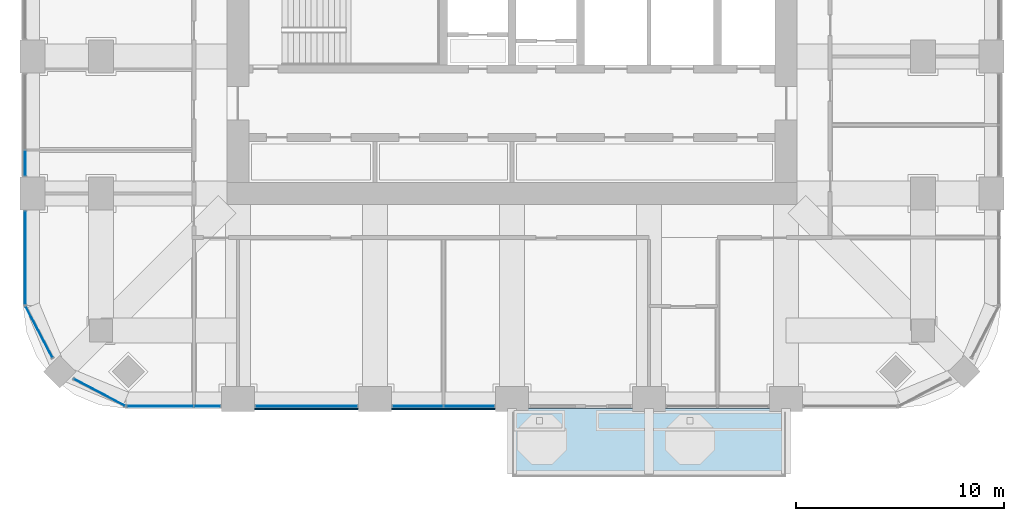
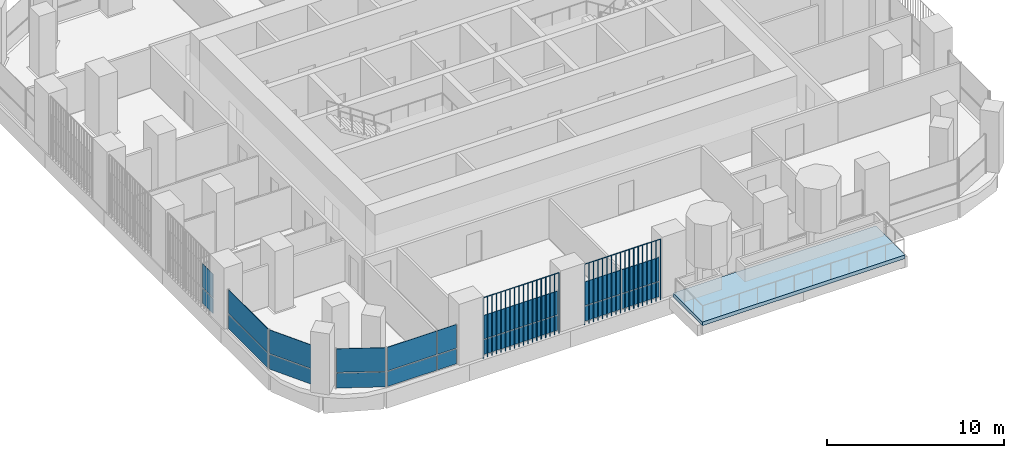
# One storey, part 8 of 20: 20 plates, 1 slab, 7 elements without a shape of their own.
"""IFC4 building model written with IfcOpenShell, lengths in metres."""

from ifc_helpers import new_model, si_unit, direction, frame, origin, origin_2d, place, context, subcontext, project, spatial, polyline, rectangle, outline, extrude, material, layer, layer_set, type_object, element, aggregate, save


model = new_model("IFC4")

# Units and contexts
model_context = context("Model", 3, precision=1e-05, world=origin(), true_north=direction((0.0, 1.0)))
body_context = subcontext(model_context, "Body", "Model", "MODEL_VIEW")
ifc_project = project(units=[si_unit("LENGTHUNIT", "METRE"), si_unit("AREAUNIT", "SQUARE_METRE"), si_unit("VOLUMEUNIT", "CUBIC_METRE"), si_unit("PLANEANGLEUNIT", "RADIAN"), si_unit("MASSUNIT", "GRAM", prefix="KILO")], contexts=[model_context])

# Site, building, storey
site_placement = place(None, origin())
site = spatial("IfcSite", under=ifc_project, at=site_placement, CompositionType="ELEMENT")
building_placement = place(site_placement, origin())
building = spatial("IfcBuilding", under=site, at=building_placement, Name="Cobogo Forest Laboratory Tower", CompositionType="ELEMENT")
storey_placement = place(building_placement, frame((0.0, 0.0, 180.89990234375)))
storey = spatial("IfcBuildingStorey", under=building, at=storey_placement, Name="L41", CompositionType="ELEMENT", Elevation=180.89990234375)

# Slab
ifc_material_1 = material(Name="Concrete HA-40 (C40/50)", Category="concrete")
ifc_layer_1 = layer(ifc_material_1, 0.25)
ifc_layer_set_1 = layer_set([ifc_layer_1], Name="Balcony slab 250")
slab_type = type_object("IfcSlabType", Name="Balcony slab 250", PredefinedType="FLOOR", material=ifc_layer_set_1)
slab_placement = place(storey_placement, frame((0.0, 0.0, -0.25)))
element("IfcSlab", 1, at=slab_placement, inside=storey, type_object=slab_type, Name="Balcony BAL-S1 L41", PredefinedType="FLOOR", context=body_context, shape_type="SweptSolid", body=[
    extrude(outline(polyline([(26.39990234375, -0.449951171875), (39.60009765625, -0.449951171875), (39.60009765625, 2.85009765625), (26.39990234375, 2.85009765625), (26.39990234375, -0.449951171875)])), origin(), (0.0, 0.0, 1.0), 0.25),
])

# Curtain wall, plates
ifc_material_2 = material(Name="Aluminium curtain wall", Category="aluminium")
curtain_wall_type = type_object("IfcCurtainWallType", Name="CW-2 unitised curtain wall, solar control glazing, laboratory floors zones C and D", PredefinedType="USERDEFINED", material=ifc_material_2)
curtain_wall_1_placement = place(storey_placement, origin())
curtain_wall_1 = element("IfcCurtainWall", 2, at=curtain_wall_1_placement, inside=storey, type_object=curtain_wall_type, Name="Curtain wall 01 L41", ObjectType="UNITISED CURTAIN WALL", PredefinedType="USERDEFINED")
ifc_material_3 = material(Name="Solar control insulated glass", Category="glass")
ifc_layer_2 = layer(ifc_material_3, 0.031982421875)
ifc_layer_set_2 = layer_set([ifc_layer_2], Name="GP-2 solar control glass unit 32")
plate_type_1 = type_object("IfcPlateType", Name="GP-2 solar control glass unit 32", PredefinedType="CURTAIN_PANEL", material=ifc_layer_set_2)
plate_1_placement = place(storey_placement, frame((9.452392578125, 2.949951171875, 0.0), z_axis=(0.0, 0.0, 1.0), x_axis=(1.0, 0.0, 0.0)))
plate_1 = element("IfcPlate", 3, at=plate_1_placement, type_object=plate_type_1, Name="CW-2 panel 1.1", PredefinedType="CURTAIN_PANEL", context=body_context, shape_type="SweptSolid", body=[
    extrude(rectangle(XDim=3.18505859375, YDim=0.031982421875, at=origin_2d()), origin(), (0.0, 0.0, 1.0), 1.02001953125),
])
plate_2_placement = place(storey_placement, frame((9.452392578125, 2.949951171875, 1.080078125), z_axis=(0.0, 0.0, 1.0), x_axis=(1.0, 0.0, 0.0)))
plate_2 = element("IfcPlate", 4, at=plate_2_placement, type_object=plate_type_1, Name="CW-2 panel 1.2", PredefinedType="CURTAIN_PANEL", context=body_context, shape_type="SweptSolid", body=[
    extrude(rectangle(XDim=3.18505859375, YDim=0.031982421875, at=origin_2d()), origin(), (0.0, 0.0, 1.0), 1.6201171875),
])
plate_3_placement = place(storey_placement, frame((11.722412109375, 2.949951171875, 0.0), z_axis=(0.0, 0.0, 1.0), x_axis=(1.0, 0.0, 0.0)))
plate_3 = element("IfcPlate", 5, at=plate_3_placement, type_object=plate_type_1, Name="CW-2 panel 2.1", PredefinedType="CURTAIN_PANEL", context=body_context, shape_type="SweptSolid", body=[
    extrude(rectangle(XDim=1.235107421875, YDim=0.031982421875, at=origin_2d()), origin(), (0.0, 0.0, 1.0), 1.02001953125),
])
plate_4_placement = place(storey_placement, frame((11.722412109375, 2.949951171875, 1.080078125), z_axis=(0.0, 0.0, 1.0), x_axis=(1.0, 0.0, 0.0)))
plate_4 = element("IfcPlate", 6, at=plate_4_placement, type_object=plate_type_1, Name="CW-2 panel 2.2", PredefinedType="CURTAIN_PANEL", context=body_context, shape_type="SweptSolid", body=[
    extrude(rectangle(XDim=1.235107421875, YDim=0.031982421875, at=origin_2d()), origin(), (0.0, 0.0, 1.0), 1.6201171875),
])
aggregate(curtain_wall_1, [plate_1, plate_2, plate_3, plate_4])

curtain_wall_2_placement = place(storey_placement, origin())
curtain_wall_2 = element("IfcCurtainWall", 7, at=curtain_wall_2_placement, inside=storey, type_object=curtain_wall_type, Name="Curtain wall 02 L41", ObjectType="UNITISED CURTAIN WALL", PredefinedType="USERDEFINED")
plate_5_placement = place(storey_placement, frame((16.5, 2.949951171875, 0.0), z_axis=(0.0, 0.0, 1.0), x_axis=(1.0, 0.0, 0.0)))
plate_5 = element("IfcPlate", 8, at=plate_5_placement, type_object=plate_type_1, Name="CW-2 panel 1.1", PredefinedType="CURTAIN_PANEL", context=body_context, shape_type="SweptSolid", body=[
    extrude(rectangle(XDim=4.8798828125, YDim=0.031982421875, at=origin_2d()), origin(), (0.0, 0.0, 1.0), 1.02001953125),
])
plate_6_placement = place(storey_placement, frame((16.5, 2.949951171875, 1.080078125), z_axis=(0.0, 0.0, 1.0), x_axis=(1.0, 0.0, 0.0)))
plate_6 = element("IfcPlate", 9, at=plate_6_placement, type_object=plate_type_1, Name="CW-2 panel 1.2", PredefinedType="CURTAIN_PANEL", context=body_context, shape_type="SweptSolid", body=[
    extrude(rectangle(XDim=4.8798828125, YDim=0.031982421875, at=origin_2d()), origin(), (0.0, 0.0, 1.0), 1.6201171875),
])
aggregate(curtain_wall_2, [plate_5, plate_6])

curtain_wall_3_placement = place(storey_placement, origin())
curtain_wall_3 = element("IfcCurtainWall", 10, at=curtain_wall_3_placement, inside=storey, type_object=curtain_wall_type, Name="Curtain wall 03 L41", ObjectType="UNITISED CURTAIN WALL", PredefinedType="USERDEFINED")
plate_7_placement = place(storey_placement, frame((21.864990234375, 2.949951171875, 0.0), z_axis=(0.0, 0.0, 1.0), x_axis=(1.0, 0.0, 0.0)))
plate_7 = element("IfcPlate", 11, at=plate_7_placement, type_object=plate_type_1, Name="CW-2 panel 1.1", PredefinedType="CURTAIN_PANEL", context=body_context, shape_type="SweptSolid", body=[
    extrude(rectangle(XDim=2.409912109375, YDim=0.031982421875, at=origin_2d()), origin(), (0.0, 0.0, 1.0), 1.02001953125),
])
plate_8_placement = place(storey_placement, frame((21.864990234375, 2.949951171875, 1.080078125), z_axis=(0.0, 0.0, 1.0), x_axis=(1.0, 0.0, 0.0)))
plate_8 = element("IfcPlate", 12, at=plate_8_placement, type_object=plate_type_1, Name="CW-2 panel 1.2", PredefinedType="CURTAIN_PANEL", context=body_context, shape_type="SweptSolid", body=[
    extrude(rectangle(XDim=2.409912109375, YDim=0.031982421875, at=origin_2d()), origin(), (0.0, 0.0, 1.0), 1.6201171875),
])
plate_9_placement = place(storey_placement, frame((24.3349609375, 2.949951171875, 0.0), z_axis=(0.0, 0.0, 1.0), x_axis=(1.0, 0.0, 0.0)))
plate_9 = element("IfcPlate", 13, at=plate_9_placement, type_object=plate_type_1, Name="CW-2 panel 2.1", PredefinedType="CURTAIN_PANEL", context=body_context, shape_type="SweptSolid", body=[
    extrude(rectangle(XDim=2.409912109375, YDim=0.031982421875, at=origin_2d()), origin(), (0.0, 0.0, 1.0), 1.02001953125),
])
plate_10_placement = place(storey_placement, frame((24.3349609375, 2.949951171875, 1.080078125), z_axis=(0.0, 0.0, 1.0), x_axis=(1.0, 0.0, 0.0)))
plate_10 = element("IfcPlate", 14, at=plate_10_placement, type_object=plate_type_1, Name="CW-2 panel 2.2", PredefinedType="CURTAIN_PANEL", context=body_context, shape_type="SweptSolid", body=[
    extrude(rectangle(XDim=2.409912109375, YDim=0.031982421875, at=origin_2d()), origin(), (0.0, 0.0, 1.0), 1.6201171875),
])
aggregate(curtain_wall_3, [plate_7, plate_8, plate_9, plate_10])

curtain_wall_4_placement = place(storey_placement, origin())
curtain_wall_4 = element("IfcCurtainWall", 15, at=curtain_wall_4_placement, inside=storey, type_object=curtain_wall_type, Name="Curtain wall 27 L41", ObjectType="UNITISED CURTAIN WALL", PredefinedType="USERDEFINED")
plate_11_placement = place(storey_placement, frame((2.949951171875, 14.6650390625, 0.0), z_axis=(0.0, 0.0, 1.0), x_axis=(0.0, -1.0, 0.0)))
plate_11 = element("IfcPlate", 16, at=plate_11_placement, type_object=plate_type_1, Name="CW-2 panel 2.1", PredefinedType="CURTAIN_PANEL", context=body_context, shape_type="SweptSolid", body=[
    extrude(rectangle(XDim=1.2099609375, YDim=0.031982421875, at=origin_2d()), origin(), (0.0, 0.0, 1.0), 1.02001953125),
])
plate_12_placement = place(storey_placement, frame((2.949951171875, 14.6650390625, 1.080078125), z_axis=(0.0, 0.0, 1.0), x_axis=(0.0, -1.0, 0.0)))
plate_12 = element("IfcPlate", 17, at=plate_12_placement, type_object=plate_type_1, Name="CW-2 panel 2.2", PredefinedType="CURTAIN_PANEL", context=body_context, shape_type="SweptSolid", body=[
    extrude(rectangle(XDim=1.2099609375, YDim=0.031982421875, at=origin_2d()), origin(), (0.0, 0.0, 1.0), 1.6201171875),
])
aggregate(curtain_wall_4, [plate_11, plate_12])

curtain_wall_5_placement = place(storey_placement, origin())
curtain_wall_5 = element("IfcCurtainWall", 18, at=curtain_wall_5_placement, inside=storey, type_object=curtain_wall_type, Name="Curtain wall 28 L41", ObjectType="UNITISED CURTAIN WALL", PredefinedType="USERDEFINED")
plate_13_placement = place(storey_placement, frame((2.949951171875, 10.10009765625, 0.0), z_axis=(0.0, 0.0, 1.0), x_axis=(0.0, -1.0, 0.0)))
plate_13 = element("IfcPlate", 19, at=plate_13_placement, type_object=plate_type_1, Name="CW-2 panel 1.1", PredefinedType="CURTAIN_PANEL", context=body_context, shape_type="SweptSolid", body=[
    extrude(rectangle(XDim=4.47998046875, YDim=0.031982421875, at=origin_2d()), origin(), (0.0, 0.0, 1.0), 1.02001953125),
])
plate_14_placement = place(storey_placement, frame((2.949951171875, 10.10009765625, 1.080078125), z_axis=(0.0, 0.0, 1.0), x_axis=(0.0, -1.0, 0.0)))
plate_14 = element("IfcPlate", 20, at=plate_14_placement, type_object=plate_type_1, Name="CW-2 panel 1.2", PredefinedType="CURTAIN_PANEL", context=body_context, shape_type="SweptSolid", body=[
    extrude(rectangle(XDim=4.47998046875, YDim=0.031982421875, at=origin_2d()), origin(), (0.0, 0.0, 1.0), 1.6201171875),
])
aggregate(curtain_wall_5, [plate_13, plate_14])

curtain_wall_6_placement = place(storey_placement, origin())
curtain_wall_6 = element("IfcCurtainWall", 21, at=curtain_wall_6_placement, inside=storey, type_object=curtain_wall_type, Name="Curtain wall 29 L41", ObjectType="UNITISED CURTAIN WALL", PredefinedType="USERDEFINED")
plate_15_placement = place(storey_placement, frame((3.61865234375, 6.5244140625, 0.0), z_axis=(0.0, 0.0, 1.0), x_axis=(0.464283804832, -0.885686484356, 0.0)))
plate_15 = element("IfcPlate", 22, at=plate_15_placement, type_object=plate_type_1, Name="CW-2 panel 1.1", PredefinedType="CURTAIN_PANEL", context=body_context, shape_type="SweptSolid", body=[
    extrude(rectangle(XDim=2.76025390625, YDim=0.031982421875, at=origin_2d()), origin(), (0.0, 0.0, 1.0), 1.02001953125),
])
plate_16_placement = place(storey_placement, frame((3.61865234375, 6.5244140625, 1.080078125), z_axis=(0.0, 0.0, 1.0), x_axis=(0.464283804832, -0.885686484356, 0.0)))
plate_16 = element("IfcPlate", 23, at=plate_16_placement, type_object=plate_type_1, Name="CW-2 panel 1.2", PredefinedType="CURTAIN_PANEL", context=body_context, shape_type="SweptSolid", body=[
    extrude(rectangle(XDim=2.76025390625, YDim=0.031982421875, at=origin_2d()), origin(), (0.0, 0.0, 1.0), 1.6201171875),
])
aggregate(curtain_wall_6, [plate_15, plate_16])

curtain_wall_7_placement = place(storey_placement, origin())
curtain_wall_7 = element("IfcCurtainWall", 24, at=curtain_wall_7_placement, inside=storey, type_object=curtain_wall_type, Name="Curtain wall 30 L41", ObjectType="UNITISED CURTAIN WALL", PredefinedType="USERDEFINED")
plate_17_placement = place(storey_placement, frame((6.5244140625, 3.61865234375, 0.0), z_axis=(0.0, 0.0, 1.0), x_axis=(0.885686484356, -0.464283804832, 0.0)))
plate_17 = element("IfcPlate", 25, at=plate_17_placement, type_object=plate_type_1, Name="CW-2 panel 1.1", PredefinedType="CURTAIN_PANEL", context=body_context, shape_type="SweptSolid", body=[
    extrude(rectangle(XDim=2.76025390625, YDim=0.031982421875, at=origin_2d()), origin(), (0.0, 0.0, 1.0), 1.02001953125),
])
plate_18_placement = place(storey_placement, frame((6.5244140625, 3.61865234375, 1.080078125), z_axis=(0.0, 0.0, 1.0), x_axis=(0.885686484356, -0.464283804832, 0.0)))
plate_18 = element("IfcPlate", 26, at=plate_18_placement, type_object=plate_type_1, Name="CW-2 panel 1.2", PredefinedType="CURTAIN_PANEL", context=body_context, shape_type="SweptSolid", body=[
    extrude(rectangle(XDim=2.76025390625, YDim=0.031982421875, at=origin_2d()), origin(), (0.0, 0.0, 1.0), 1.6201171875),
])
aggregate(curtain_wall_7, [plate_17, plate_18])

# Plates
ifc_material_4 = material(Name="Terracotta", Category="masonry")
plate_type_2 = type_object("IfcPlateType", Name="TB1 terracotta baguette screen", PredefinedType="USERDEFINED", material=ifc_material_4)
plate_19_placement = place(storey_placement, frame((14.03125, 2.822021484375, -0.14990234375)))
element("IfcPlate", 27, at=plate_19_placement, inside=storey, type_object=plate_type_2, Name="Baguette screen S1 L41", ObjectType="BAGUETTE SCREEN", PredefinedType="USERDEFINED", context=body_context, shape_type="SweptSolid", body=[
    extrude(outline(polyline([(0.02880859375, 0.011962890625), (0.011962890625, 0.02880859375), (-0.011962890625, 0.02880859375), (-0.02880859375, 0.011962890625), (-0.02880859375, -0.011962890625), (-0.011962890625, -0.02880859375), (0.011962890625, -0.02880859375), (0.02880859375, -0.011962890625), (0.02880859375, 0.011962890625)])), frame((0.0, 0.0, 4.168701171875), z_axis=(1.0, 0.0, 0.0), x_axis=(0.0, 1.0, 0.0)), (0.0, 0.0, 1.0), 4.9375),
    extrude(outline(polyline([(0.02880859375, 0.011962890625), (0.011962890625, 0.02880859375), (-0.011962890625, 0.02880859375), (-0.02880859375, 0.011962890625), (-0.02880859375, -0.011962890625), (-0.011962890625, -0.02880859375), (0.011962890625, -0.02880859375), (0.02880859375, -0.011962890625), (0.02880859375, 0.011962890625)])), origin(), (0.0, 0.0, 1.0), 4.137451171875),
    extrude(outline(polyline([(0.02880859375, 0.011962890625), (0.011962890625, 0.02880859375), (-0.011962890625, 0.02880859375), (-0.02880859375, 0.011962890625), (-0.02880859375, -0.011962890625), (-0.011962890625, -0.02880859375), (0.011962890625, -0.02880859375), (0.02880859375, -0.011962890625), (0.02880859375, 0.011962890625)])), frame((0.29052734375, 0.0, 0.0)), (0.0, 0.0, 1.0), 4.137451171875),
    extrude(outline(polyline([(0.02880859375, 0.011962890625), (0.011962890625, 0.02880859375), (-0.011962890625, 0.02880859375), (-0.02880859375, 0.011962890625), (-0.02880859375, -0.011962890625), (-0.011962890625, -0.02880859375), (0.011962890625, -0.02880859375), (0.02880859375, -0.011962890625), (0.02880859375, 0.011962890625)])), frame((0.580810546875, 0.0, 0.0)), (0.0, 0.0, 1.0), 4.137451171875),
    extrude(outline(polyline([(0.02880859375, 0.011962890625), (0.011962890625, 0.02880859375), (-0.011962890625, 0.02880859375), (-0.02880859375, 0.011962890625), (-0.02880859375, -0.011962890625), (-0.011962890625, -0.02880859375), (0.011962890625, -0.02880859375), (0.02880859375, -0.011962890625), (0.02880859375, 0.011962890625)])), frame((0.871337890625, 0.0, 0.0)), (0.0, 0.0, 1.0), 4.137451171875),
    extrude(outline(polyline([(0.02880859375, 0.011962890625), (0.011962890625, 0.02880859375), (-0.011962890625, 0.02880859375), (-0.02880859375, 0.011962890625), (-0.02880859375, -0.011962890625), (-0.011962890625, -0.02880859375), (0.011962890625, -0.02880859375), (0.02880859375, -0.011962890625), (0.02880859375, 0.011962890625)])), frame((1.161865234375, 0.0, 0.0)), (0.0, 0.0, 1.0), 4.137451171875),
    extrude(outline(polyline([(0.02880859375, 0.011962890625), (0.011962890625, 0.02880859375), (-0.011962890625, 0.02880859375), (-0.02880859375, 0.011962890625), (-0.02880859375, -0.011962890625), (-0.011962890625, -0.02880859375), (0.011962890625, -0.02880859375), (0.02880859375, -0.011962890625), (0.02880859375, 0.011962890625)])), frame((1.4521484375, 0.0, 0.0)), (0.0, 0.0, 1.0), 4.137451171875),
    extrude(outline(polyline([(0.02880859375, 0.011962890625), (0.011962890625, 0.02880859375), (-0.011962890625, 0.02880859375), (-0.02880859375, 0.011962890625), (-0.02880859375, -0.011962890625), (-0.011962890625, -0.02880859375), (0.011962890625, -0.02880859375), (0.02880859375, -0.011962890625), (0.02880859375, 0.011962890625)])), frame((1.74267578125, 0.0, 0.0)), (0.0, 0.0, 1.0), 4.137451171875),
    extrude(outline(polyline([(0.02880859375, 0.011962890625), (0.011962890625, 0.02880859375), (-0.011962890625, 0.02880859375), (-0.02880859375, 0.011962890625), (-0.02880859375, -0.011962890625), (-0.011962890625, -0.02880859375), (0.011962890625, -0.02880859375), (0.02880859375, -0.011962890625), (0.02880859375, 0.011962890625)])), frame((2.033203125, 0.0, 0.0)), (0.0, 0.0, 1.0), 4.137451171875),
    extrude(outline(polyline([(0.02880859375, 0.011962890625), (0.011962890625, 0.02880859375), (-0.011962890625, 0.02880859375), (-0.02880859375, 0.011962890625), (-0.02880859375, -0.011962890625), (-0.011962890625, -0.02880859375), (0.011962890625, -0.02880859375), (0.02880859375, -0.011962890625), (0.02880859375, 0.011962890625)])), frame((2.323486328125, 0.0, 0.0)), (0.0, 0.0, 1.0), 4.137451171875),
    extrude(outline(polyline([(0.02880859375, 0.011962890625), (0.011962890625, 0.02880859375), (-0.011962890625, 0.02880859375), (-0.02880859375, 0.011962890625), (-0.02880859375, -0.011962890625), (-0.011962890625, -0.02880859375), (0.011962890625, -0.02880859375), (0.02880859375, -0.011962890625), (0.02880859375, 0.011962890625)])), frame((2.614013671875, 0.0, 0.0)), (0.0, 0.0, 1.0), 4.137451171875),
    extrude(outline(polyline([(0.02880859375, 0.011962890625), (0.011962890625, 0.02880859375), (-0.011962890625, 0.02880859375), (-0.02880859375, 0.011962890625), (-0.02880859375, -0.011962890625), (-0.011962890625, -0.02880859375), (0.011962890625, -0.02880859375), (0.02880859375, -0.011962890625), (0.02880859375, 0.011962890625)])), frame((2.904296875, 0.0, 0.0)), (0.0, 0.0, 1.0), 4.137451171875),
    extrude(outline(polyline([(0.02880859375, 0.011962890625), (0.011962890625, 0.02880859375), (-0.011962890625, 0.02880859375), (-0.02880859375, 0.011962890625), (-0.02880859375, -0.011962890625), (-0.011962890625, -0.02880859375), (0.011962890625, -0.02880859375), (0.02880859375, -0.011962890625), (0.02880859375, 0.011962890625)])), frame((3.19482421875, 0.0, 0.0)), (0.0, 0.0, 1.0), 4.137451171875),
    extrude(outline(polyline([(0.02880859375, 0.011962890625), (0.011962890625, 0.02880859375), (-0.011962890625, 0.02880859375), (-0.02880859375, 0.011962890625), (-0.02880859375, -0.011962890625), (-0.011962890625, -0.02880859375), (0.011962890625, -0.02880859375), (0.02880859375, -0.011962890625), (0.02880859375, 0.011962890625)])), frame((3.4853515625, 0.0, 0.0)), (0.0, 0.0, 1.0), 4.137451171875),
    extrude(outline(polyline([(0.02880859375, 0.011962890625), (0.011962890625, 0.02880859375), (-0.011962890625, 0.02880859375), (-0.02880859375, 0.011962890625), (-0.02880859375, -0.011962890625), (-0.011962890625, -0.02880859375), (0.011962890625, -0.02880859375), (0.02880859375, -0.011962890625), (0.02880859375, 0.011962890625)])), frame((3.775634765625, 0.0, 0.0)), (0.0, 0.0, 1.0), 4.137451171875),
    extrude(outline(polyline([(0.02880859375, 0.011962890625), (0.011962890625, 0.02880859375), (-0.011962890625, 0.02880859375), (-0.02880859375, 0.011962890625), (-0.02880859375, -0.011962890625), (-0.011962890625, -0.02880859375), (0.011962890625, -0.02880859375), (0.02880859375, -0.011962890625), (0.02880859375, 0.011962890625)])), frame((4.066162109375, 0.0, 0.0)), (0.0, 0.0, 1.0), 4.137451171875),
    extrude(outline(polyline([(0.02880859375, 0.011962890625), (0.011962890625, 0.02880859375), (-0.011962890625, 0.02880859375), (-0.02880859375, 0.011962890625), (-0.02880859375, -0.011962890625), (-0.011962890625, -0.02880859375), (0.011962890625, -0.02880859375), (0.02880859375, -0.011962890625), (0.02880859375, 0.011962890625)])), frame((4.356689453125, 0.0, 0.0)), (0.0, 0.0, 1.0), 4.137451171875),
    extrude(outline(polyline([(0.02880859375, 0.011962890625), (0.011962890625, 0.02880859375), (-0.011962890625, 0.02880859375), (-0.02880859375, 0.011962890625), (-0.02880859375, -0.011962890625), (-0.011962890625, -0.02880859375), (0.011962890625, -0.02880859375), (0.02880859375, -0.011962890625), (0.02880859375, 0.011962890625)])), frame((4.64697265625, 0.0, 0.0)), (0.0, 0.0, 1.0), 4.137451171875),
    extrude(outline(polyline([(0.02880859375, 0.011962890625), (0.011962890625, 0.02880859375), (-0.011962890625, 0.02880859375), (-0.02880859375, 0.011962890625), (-0.02880859375, -0.011962890625), (-0.011962890625, -0.02880859375), (0.011962890625, -0.02880859375), (0.02880859375, -0.011962890625), (0.02880859375, 0.011962890625)])), frame((4.9375, 0.0, 0.0)), (0.0, 0.0, 1.0), 4.137451171875),
])
plate_20_placement = place(storey_placement, frame((20.63134765625, 2.822021484375, -0.14990234375)))
element("IfcPlate", 28, at=plate_20_placement, inside=storey, type_object=plate_type_2, Name="Baguette screen S2 L41", ObjectType="BAGUETTE SCREEN", PredefinedType="USERDEFINED", context=body_context, shape_type="SweptSolid", body=[
    extrude(outline(polyline([(0.02880859375, 0.011962890625), (0.011962890625, 0.02880859375), (-0.011962890625, 0.02880859375), (-0.02880859375, 0.011962890625), (-0.02880859375, -0.011962890625), (-0.011962890625, -0.02880859375), (0.011962890625, -0.02880859375), (0.02880859375, -0.011962890625), (0.02880859375, 0.011962890625)])), frame((0.0, 0.0, 4.168701171875), z_axis=(1.0, 0.0, 0.0), x_axis=(0.0, 1.0, 0.0)), (0.0, 0.0, 1.0), 4.9375),
    extrude(outline(polyline([(0.02880859375, 0.011962890625), (0.011962890625, 0.02880859375), (-0.011962890625, 0.02880859375), (-0.02880859375, 0.011962890625), (-0.02880859375, -0.011962890625), (-0.011962890625, -0.02880859375), (0.011962890625, -0.02880859375), (0.02880859375, -0.011962890625), (0.02880859375, 0.011962890625)])), origin(), (0.0, 0.0, 1.0), 4.137451171875),
    extrude(outline(polyline([(0.02880859375, 0.011962890625), (0.011962890625, 0.02880859375), (-0.011962890625, 0.02880859375), (-0.02880859375, 0.011962890625), (-0.02880859375, -0.011962890625), (-0.011962890625, -0.02880859375), (0.011962890625, -0.02880859375), (0.02880859375, -0.011962890625), (0.02880859375, 0.011962890625)])), frame((0.29052734375, 0.0, 0.0)), (0.0, 0.0, 1.0), 4.137451171875),
    extrude(outline(polyline([(0.02880859375, 0.011962890625), (0.011962890625, 0.02880859375), (-0.011962890625, 0.02880859375), (-0.02880859375, 0.011962890625), (-0.02880859375, -0.011962890625), (-0.011962890625, -0.02880859375), (0.011962890625, -0.02880859375), (0.02880859375, -0.011962890625), (0.02880859375, 0.011962890625)])), frame((0.580810546875, 0.0, 0.0)), (0.0, 0.0, 1.0), 4.137451171875),
    extrude(outline(polyline([(0.02880859375, 0.011962890625), (0.011962890625, 0.02880859375), (-0.011962890625, 0.02880859375), (-0.02880859375, 0.011962890625), (-0.02880859375, -0.011962890625), (-0.011962890625, -0.02880859375), (0.011962890625, -0.02880859375), (0.02880859375, -0.011962890625), (0.02880859375, 0.011962890625)])), frame((0.871337890625, 0.0, 0.0)), (0.0, 0.0, 1.0), 4.137451171875),
    extrude(outline(polyline([(0.02880859375, 0.011962890625), (0.011962890625, 0.02880859375), (-0.011962890625, 0.02880859375), (-0.02880859375, 0.011962890625), (-0.02880859375, -0.011962890625), (-0.011962890625, -0.02880859375), (0.011962890625, -0.02880859375), (0.02880859375, -0.011962890625), (0.02880859375, 0.011962890625)])), frame((1.161865234375, 0.0, 0.0)), (0.0, 0.0, 1.0), 4.137451171875),
    extrude(outline(polyline([(0.02880859375, 0.011962890625), (0.011962890625, 0.02880859375), (-0.011962890625, 0.02880859375), (-0.02880859375, 0.011962890625), (-0.02880859375, -0.011962890625), (-0.011962890625, -0.02880859375), (0.011962890625, -0.02880859375), (0.02880859375, -0.011962890625), (0.02880859375, 0.011962890625)])), frame((1.4521484375, 0.0, 0.0)), (0.0, 0.0, 1.0), 4.137451171875),
    extrude(outline(polyline([(0.02880859375, 0.011962890625), (0.011962890625, 0.02880859375), (-0.011962890625, 0.02880859375), (-0.02880859375, 0.011962890625), (-0.02880859375, -0.011962890625), (-0.011962890625, -0.02880859375), (0.011962890625, -0.02880859375), (0.02880859375, -0.011962890625), (0.02880859375, 0.011962890625)])), frame((1.74267578125, 0.0, 0.0)), (0.0, 0.0, 1.0), 4.137451171875),
    extrude(outline(polyline([(0.02880859375, 0.011962890625), (0.011962890625, 0.02880859375), (-0.011962890625, 0.02880859375), (-0.02880859375, 0.011962890625), (-0.02880859375, -0.011962890625), (-0.011962890625, -0.02880859375), (0.011962890625, -0.02880859375), (0.02880859375, -0.011962890625), (0.02880859375, 0.011962890625)])), frame((2.033203125, 0.0, 0.0)), (0.0, 0.0, 1.0), 4.137451171875),
    extrude(outline(polyline([(0.02880859375, 0.011962890625), (0.011962890625, 0.02880859375), (-0.011962890625, 0.02880859375), (-0.02880859375, 0.011962890625), (-0.02880859375, -0.011962890625), (-0.011962890625, -0.02880859375), (0.011962890625, -0.02880859375), (0.02880859375, -0.011962890625), (0.02880859375, 0.011962890625)])), frame((2.323486328125, 0.0, 0.0)), (0.0, 0.0, 1.0), 4.137451171875),
    extrude(outline(polyline([(0.02880859375, 0.011962890625), (0.011962890625, 0.02880859375), (-0.011962890625, 0.02880859375), (-0.02880859375, 0.011962890625), (-0.02880859375, -0.011962890625), (-0.011962890625, -0.02880859375), (0.011962890625, -0.02880859375), (0.02880859375, -0.011962890625), (0.02880859375, 0.011962890625)])), frame((2.614013671875, 0.0, 0.0)), (0.0, 0.0, 1.0), 4.137451171875),
    extrude(outline(polyline([(0.02880859375, 0.011962890625), (0.011962890625, 0.02880859375), (-0.011962890625, 0.02880859375), (-0.02880859375, 0.011962890625), (-0.02880859375, -0.011962890625), (-0.011962890625, -0.02880859375), (0.011962890625, -0.02880859375), (0.02880859375, -0.011962890625), (0.02880859375, 0.011962890625)])), frame((2.904296875, 0.0, 0.0)), (0.0, 0.0, 1.0), 4.137451171875),
    extrude(outline(polyline([(0.02880859375, 0.011962890625), (0.011962890625, 0.02880859375), (-0.011962890625, 0.02880859375), (-0.02880859375, 0.011962890625), (-0.02880859375, -0.011962890625), (-0.011962890625, -0.02880859375), (0.011962890625, -0.02880859375), (0.02880859375, -0.011962890625), (0.02880859375, 0.011962890625)])), frame((3.19482421875, 0.0, 0.0)), (0.0, 0.0, 1.0), 4.137451171875),
    extrude(outline(polyline([(0.02880859375, 0.011962890625), (0.011962890625, 0.02880859375), (-0.011962890625, 0.02880859375), (-0.02880859375, 0.011962890625), (-0.02880859375, -0.011962890625), (-0.011962890625, -0.02880859375), (0.011962890625, -0.02880859375), (0.02880859375, -0.011962890625), (0.02880859375, 0.011962890625)])), frame((3.4853515625, 0.0, 0.0)), (0.0, 0.0, 1.0), 4.137451171875),
    extrude(outline(polyline([(0.02880859375, 0.011962890625), (0.011962890625, 0.02880859375), (-0.011962890625, 0.02880859375), (-0.02880859375, 0.011962890625), (-0.02880859375, -0.011962890625), (-0.011962890625, -0.02880859375), (0.011962890625, -0.02880859375), (0.02880859375, -0.011962890625), (0.02880859375, 0.011962890625)])), frame((3.775634765625, 0.0, 0.0)), (0.0, 0.0, 1.0), 4.137451171875),
    extrude(outline(polyline([(0.02880859375, 0.011962890625), (0.011962890625, 0.02880859375), (-0.011962890625, 0.02880859375), (-0.02880859375, 0.011962890625), (-0.02880859375, -0.011962890625), (-0.011962890625, -0.02880859375), (0.011962890625, -0.02880859375), (0.02880859375, -0.011962890625), (0.02880859375, 0.011962890625)])), frame((4.066162109375, 0.0, 0.0)), (0.0, 0.0, 1.0), 4.137451171875),
    extrude(outline(polyline([(0.02880859375, 0.011962890625), (0.011962890625, 0.02880859375), (-0.011962890625, 0.02880859375), (-0.02880859375, 0.011962890625), (-0.02880859375, -0.011962890625), (-0.011962890625, -0.02880859375), (0.011962890625, -0.02880859375), (0.02880859375, -0.011962890625), (0.02880859375, 0.011962890625)])), frame((4.356689453125, 0.0, 0.0)), (0.0, 0.0, 1.0), 4.137451171875),
    extrude(outline(polyline([(0.02880859375, 0.011962890625), (0.011962890625, 0.02880859375), (-0.011962890625, 0.02880859375), (-0.02880859375, 0.011962890625), (-0.02880859375, -0.011962890625), (-0.011962890625, -0.02880859375), (0.011962890625, -0.02880859375), (0.02880859375, -0.011962890625), (0.02880859375, 0.011962890625)])), frame((4.64697265625, 0.0, 0.0)), (0.0, 0.0, 1.0), 4.137451171875),
    extrude(outline(polyline([(0.02880859375, 0.011962890625), (0.011962890625, 0.02880859375), (-0.011962890625, 0.02880859375), (-0.02880859375, 0.011962890625), (-0.02880859375, -0.011962890625), (-0.011962890625, -0.02880859375), (0.011962890625, -0.02880859375), (0.02880859375, -0.011962890625), (0.02880859375, 0.011962890625)])), frame((4.9375, 0.0, 0.0)), (0.0, 0.0, 1.0), 4.137451171875),
])

save(model, "model.ifc")
